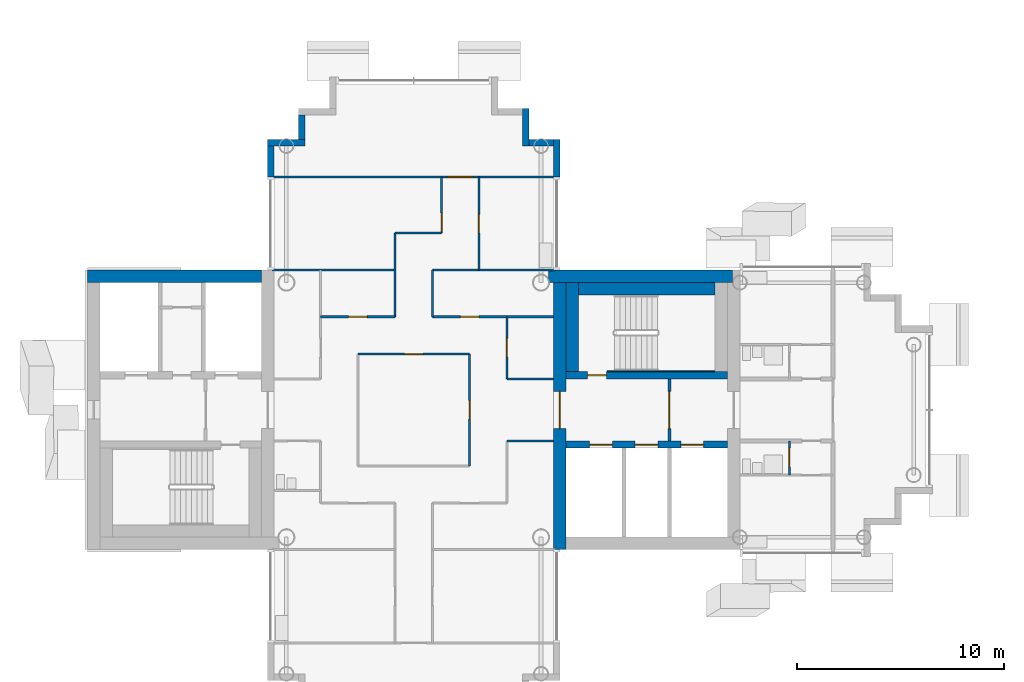
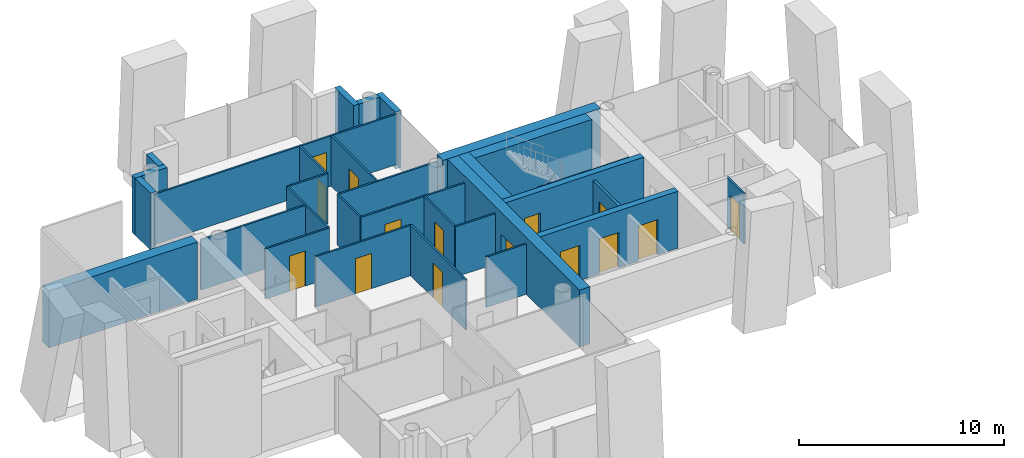
# One storey, part 7 of 18: 31 walls, 15 doors, 15 openings.
"""IFC4 building model written with IfcOpenShell, lengths in metres."""

from ifc_helpers import new_model, si_unit, direction, frame, frame_2d, origin, place, context, subcontext, project, spatial, rectangle, extrude, material, layer, layer_set, type_object, element, fill, save


model = new_model("IFC4")

# Units and contexts
model_context = context("Model", 3, precision=1e-05, world=origin(), true_north=direction((0.0, 1.0)))
body_context = subcontext(model_context, "Body", "Model", "MODEL_VIEW")
ifc_project = project(units=[si_unit("LENGTHUNIT", "METRE"), si_unit("AREAUNIT", "SQUARE_METRE"), si_unit("VOLUMEUNIT", "CUBIC_METRE"), si_unit("PLANEANGLEUNIT", "RADIAN"), si_unit("MASSUNIT", "GRAM", prefix="KILO")], contexts=[model_context])

# Site, building, storey
site_placement = place(None, origin())
site = spatial("IfcSite", under=ifc_project, at=site_placement, CompositionType="ELEMENT")
building_placement = place(site_placement, origin())
building = spatial("IfcBuilding", under=site, at=building_placement, Name="Ipe Terrace Towers", CompositionType="ELEMENT")
storey_placement = place(building_placement, frame((0.0, 0.0, 196.0)))
storey = spatial("IfcBuildingStorey", under=building, at=storey_placement, Name="L54", CompositionType="ELEMENT", Elevation=196.0)

# Walls
ifc_material_1 = material(Name="Concrete C40/50 with buff precast cladding", Category="concrete")
ifc_layer_1 = layer(ifc_material_1, 0.320068359375)
ifc_layer_set_1 = layer_set([ifc_layer_1], Name="BUFF CLADDING WALL 320")
wall_type_1 = type_object("IfcWallType", Name="BUFF CLADDING WALL 320", PredefinedType="STANDARD", material=ifc_layer_set_1)
wall_1_placement = place(storey_placement, frame((-29.090087890625, 11.25, -0.300048828125), z_axis=(0.0, 0.0, 1.0), x_axis=(0.0, 1.0, 0.0)))
element("IfcWall", 1, at=wall_1_placement, inside=storey, type_object=wall_type_1, Name="T1-W-L54-29a wall", PredefinedType="STANDARD", context=body_context, shape_type="SweptSolid", body=[
    extrude(rectangle(XDim=1.820068359375, YDim=0.320068359375, at=frame_2d((0.91015625, 0.0))), origin(), (0.0, 0.0, 1.0), 3.400146484375),
])
wall_2_placement = place(storey_placement, frame((-29.25, 12.909912109375, -0.300048828125), z_axis=(0.0, 0.0, 1.0), x_axis=(-1.0, 0.0, 0.0)))
element("IfcWall", 2, at=wall_2_placement, inside=storey, type_object=wall_type_1, Name="T1-W-L54-30a wall", PredefinedType="STANDARD", context=body_context, shape_type="SweptSolid", body=[
    extrude(rectangle(XDim=1.179931640625, YDim=0.320068359375, at=frame_2d((0.58984375, 0.0))), origin(), (0.0, 0.0, 1.0), 3.400146484375),
])
wall_3_placement = place(storey_placement, frame((-30.590087890625, 12.75, -0.300048828125), z_axis=(0.0, 0.0, 1.0), x_axis=(0.0, 1.0, 0.0)))
element("IfcWall", 3, at=wall_3_placement, inside=storey, type_object=wall_type_1, Name="T1-W-L54-31a wall", PredefinedType="STANDARD", context=body_context, shape_type="SweptSolid", body=[
    extrude(rectangle(XDim=1.820068359375, YDim=0.320068359375, at=frame_2d((0.91015625, 0.0))), origin(), (0.0, 0.0, 1.0), 3.400146484375),
])
wall_4_placement = place(storey_placement, frame((-41.409912109375, 14.25, -0.300048828125), z_axis=(0.0, 0.0, 1.0), x_axis=(0.0, -1.0, 0.0)))
element("IfcWall", 4, at=wall_4_placement, inside=storey, type_object=wall_type_1, Name="T1-W-L54-37a wall", PredefinedType="STANDARD", context=body_context, shape_type="SweptSolid", body=[
    extrude(rectangle(XDim=1.179931640625, YDim=0.320068359375, at=frame_2d((0.58984375, 0.0))), origin(), (0.0, 0.0, 1.0), 3.400146484375),
])
wall_5_placement = place(storey_placement, frame((-41.25, 12.909912109375, -0.300048828125), z_axis=(0.0, 0.0, 1.0), x_axis=(-1.0, 0.0, 0.0)))
element("IfcWall", 5, at=wall_5_placement, inside=storey, type_object=wall_type_1, Name="T1-W-L54-38a wall", PredefinedType="STANDARD", context=body_context, shape_type="SweptSolid", body=[
    extrude(rectangle(XDim=1.820068359375, YDim=0.320068359375, at=frame_2d((0.91015625, 0.0))), origin(), (0.0, 0.0, 1.0), 3.400146484375),
])
wall_6_placement = place(storey_placement, frame((-42.909912109375, 12.75, -0.300048828125), z_axis=(0.0, 0.0, 1.0), x_axis=(0.0, -1.0, 0.0)))
element("IfcWall", 6, at=wall_6_placement, inside=storey, type_object=wall_type_1, Name="T1-W-L54-39a wall", PredefinedType="STANDARD", context=body_context, shape_type="SweptSolid", body=[
    extrude(rectangle(XDim=1.5, YDim=0.320068359375, at=frame_2d((0.75, 0.0))), origin(), (0.0, 0.0, 1.0), 3.400146484375),
])
ifc_material_2 = material(Name="Gypsum board partition", Category="plasterboard")
ifc_layer_2 = layer(ifc_material_2, 0.10009765625)
ifc_layer_set_2 = layer_set([ifc_layer_2], Name="Gypsum board partition 100 mm")
wall_type_2 = type_object("IfcWallType", Name="Gypsum board partition 100 mm", PredefinedType="PARTITIONING", material=ifc_layer_set_2)
wall_7_placement = place(storey_placement, frame((-36.89990234375, 4.5, 0.0), z_axis=(0.0, 0.0, 1.0), x_axis=(0.0, 1.0, 0.0)))
element("IfcWall", 7, at=wall_7_placement, inside=storey, type_object=wall_type_2, Name="Gypsum board partition T1 L54 W05", PredefinedType="PARTITIONING", context=body_context, shape_type="SweptSolid", body=[
    extrude(rectangle(XDim=4.050048828125, YDim=0.10009765625, at=frame_2d((2.02490234375, 0.0))), origin(), (0.0, 0.0, 1.0), 3.0),
])
wall_8_placement = place(storey_placement, frame((-35.10009765625, 4.5, 0.0), z_axis=(0.0, 0.0, 1.0), x_axis=(0.0, 1.0, 0.0)))
element("IfcWall", 8, at=wall_8_placement, inside=storey, type_object=wall_type_2, Name="Gypsum board partition T1 L54 W07", PredefinedType="PARTITIONING", context=body_context, shape_type="SweptSolid", body=[
    extrude(rectangle(XDim=2.25, YDim=0.10009765625, at=frame_2d((1.125, 0.0))), origin(), (0.0, 0.0, 1.0), 3.0),
])

# Wall, opening, door
wall_9_placement = place(storey_placement, frame((-34.64990234375, 8.550048828125, 0.0), z_axis=(0.0, 0.0, 1.0), x_axis=(0.0, 1.0, 0.0)))
wall_9 = element("IfcWall", 9, at=wall_9_placement, inside=storey, type_object=wall_type_2, Name="Gypsum board partition T1 L54 W08", PredefinedType="PARTITIONING", context=body_context, shape_type="SweptSolid", body=[
    extrude(rectangle(XDim=2.699951171875, YDim=0.10009765625, at=frame_2d((1.35009765625, 0.0))), origin(), (0.0, 0.0, 1.0), 3.0),
])
opening_1_placement = place(wall_9_placement, frame((0.070068359375, 0.0, 0.0)))
opening_1 = element("IfcOpeningElement", 10, at=opening_1_placement, cuts=wall_9, Name="Opening T1-Z4D-10", PredefinedType="OPENING", context=body_context, shape_type="SweptSolid", body=[
    extrude(rectangle(XDim=0.89990234375, YDim=2.10009765625, at=frame_2d((0.449951171875, 1.050048828125))), frame((0.0, 0.06005859375, 0.0), z_axis=(0.0, -1.0, 0.0), x_axis=(1.0, 0.0, 0.0)), (0.0, 0.0, 1.0), 0.1201171875),
])
ifc_material_3 = material(Name="Timber door leaf", Category="wood")
door_type_1 = type_object("IfcDoorType", Name="Lounge door 900 x 2100", OperationType="NOTDEFINED", PredefinedType="DOOR", material=ifc_material_3)
door_1_placement = place(opening_1_placement, origin())
door_1 = element("IfcDoor", 11, at=door_1_placement, inside=storey, type_object=door_type_1, Name="Lounge door T1-Z4D-10", OperationType="SINGLE_SWING_RIGHT", OverallHeight=2.10009765625, OverallWidth=0.89990234375, PredefinedType="DOOR", context=body_context, shape_type="SweptSolid", body=[
    extrude(rectangle(XDim=0.89990234375, YDim=2.10009765625, at=frame_2d((0.449951171875, 1.050048828125))), frame((0.0, 0.02490234375, 0.0), z_axis=(0.0, -1.0, 0.0), x_axis=(1.0, 0.0, 0.0)), (0.0, 0.0, 1.0), 0.050048828125),
])
fill(opening_1, door_1)

wall_10_placement = place(storey_placement, frame((-33.300048828125, -2.699951171875, 0.0), z_axis=(0.0, 0.0, 1.0), x_axis=(0.0, 1.0, 0.0)))
wall_10 = element("IfcWall", 12, at=wall_10_placement, inside=storey, type_object=wall_type_2, Name="Gypsum board partition T1 L54 W09", PredefinedType="PARTITIONING", context=body_context, shape_type="SweptSolid", body=[
    extrude(rectangle(XDim=5.39990234375, YDim=0.10009765625, at=frame_2d((2.699951171875, 0.0))), origin(), (0.0, 0.0, 1.0), 3.0),
])
opening_2_placement = place(wall_10_placement, frame((2.25, 0.0, 0.0)))
opening_2 = element("IfcOpeningElement", 13, at=opening_2_placement, cuts=wall_10, Name="Opening T1-Z4D-02", PredefinedType="OPENING", context=body_context, shape_type="SweptSolid", body=[
    extrude(rectangle(XDim=0.89990234375, YDim=2.10009765625, at=frame_2d((0.449951171875, 1.050048828125))), frame((0.0, 0.06005859375, 0.0), z_axis=(0.0, -1.0, 0.0), x_axis=(1.0, 0.0, 0.0)), (0.0, 0.0, 1.0), 0.1201171875),
])
door_2_placement = place(opening_2_placement, origin())
door_2 = element("IfcDoor", 14, at=door_2_placement, inside=storey, type_object=door_type_1, Name="Lounge door T1-Z4D-02", OperationType="SINGLE_SWING_LEFT", OverallHeight=2.10009765625, OverallWidth=0.89990234375, PredefinedType="DOOR", context=body_context, shape_type="SweptSolid", body=[
    extrude(rectangle(XDim=0.89990234375, YDim=2.10009765625, at=frame_2d((0.449951171875, 1.050048828125))), frame((0.0, 0.02490234375, 0.0), z_axis=(0.0, -1.0, 0.0), x_axis=(1.0, 0.0, 0.0)), (0.0, 0.0, 1.0), 0.050048828125),
])
fill(opening_2, door_2)

wall_11_placement = place(storey_placement, frame((-32.85009765625, 6.75, 0.0), z_axis=(0.0, 0.0, 1.0), x_axis=(0.0, 1.0, 0.0)))
wall_11 = element("IfcWall", 15, at=wall_11_placement, inside=storey, type_object=wall_type_2, Name="Gypsum board partition T1 L54 W10", PredefinedType="PARTITIONING", context=body_context, shape_type="SweptSolid", body=[
    extrude(rectangle(XDim=4.5, YDim=0.10009765625, at=frame_2d((2.25, 0.0))), origin(), (0.0, 0.0, 1.0), 3.0),
])
opening_3_placement = place(wall_11_placement, frame((1.800048828125, 0.0, 0.0)))
opening_3 = element("IfcOpeningElement", 16, at=opening_3_placement, cuts=wall_11, Name="Opening T1-Z4D-11", PredefinedType="OPENING", context=body_context, shape_type="SweptSolid", body=[
    extrude(rectangle(XDim=0.89990234375, YDim=2.10009765625, at=frame_2d((0.449951171875, 1.050048828125))), frame((0.0, 0.06005859375, 0.0), z_axis=(0.0, -1.0, 0.0), x_axis=(1.0, 0.0, 0.0)), (0.0, 0.0, 1.0), 0.1201171875),
])
door_3_placement = place(opening_3_placement, origin())
door_3 = element("IfcDoor", 17, at=door_3_placement, inside=storey, type_object=door_type_1, Name="Lounge door T1-Z4D-11", OperationType="SINGLE_SWING_RIGHT", OverallHeight=2.10009765625, OverallWidth=0.89990234375, PredefinedType="DOOR", context=body_context, shape_type="SweptSolid", body=[
    extrude(rectangle(XDim=0.89990234375, YDim=2.10009765625, at=frame_2d((0.449951171875, 1.050048828125))), frame((0.0, 0.02490234375, 0.0), z_axis=(0.0, -1.0, 0.0), x_axis=(1.0, 0.0, 0.0)), (0.0, 0.0, 1.0), 0.050048828125),
])
fill(opening_3, door_3)

wall_12_placement = place(storey_placement, frame((-31.5, 1.5, 0.0), z_axis=(0.0, 0.0, 1.0), x_axis=(0.0, 1.0, 0.0)))
wall_12 = element("IfcWall", 18, at=wall_12_placement, inside=storey, type_object=wall_type_2, Name="Gypsum board partition T1 L54 W12", PredefinedType="PARTITIONING", context=body_context, shape_type="SweptSolid", body=[
    extrude(rectangle(XDim=3.0, YDim=0.10009765625, at=frame_2d((1.5, 0.0))), origin(), (0.0, 0.0, 1.0), 3.0),
])
opening_4_placement = place(wall_12_placement, frame((1.050048828125, 0.0, 0.0)))
opening_4 = element("IfcOpeningElement", 19, at=opening_4_placement, cuts=wall_12, Name="Opening T1-Z4D-05", PredefinedType="OPENING", context=body_context, shape_type="SweptSolid", body=[
    extrude(rectangle(XDim=0.89990234375, YDim=2.10009765625, at=frame_2d((0.449951171875, 1.050048828125))), frame((0.0, 0.06005859375, 0.0), z_axis=(0.0, -1.0, 0.0), x_axis=(1.0, 0.0, 0.0)), (0.0, 0.0, 1.0), 0.1201171875),
])
door_4_placement = place(opening_4_placement, origin())
door_4 = element("IfcDoor", 20, at=door_4_placement, inside=storey, type_object=door_type_1, Name="Lounge door T1-Z4D-05", OperationType="SINGLE_SWING_RIGHT", OverallHeight=2.10009765625, OverallWidth=0.89990234375, PredefinedType="DOOR", context=body_context, shape_type="SweptSolid", body=[
    extrude(rectangle(XDim=0.89990234375, YDim=2.10009765625, at=frame_2d((0.449951171875, 1.050048828125))), frame((0.0, 0.02490234375, 0.0), z_axis=(0.0, -1.0, 0.0), x_axis=(1.0, 0.0, 0.0)), (0.0, 0.0, 1.0), 0.050048828125),
])
fill(opening_4, door_4)

wall_13_placement = place(storey_placement, frame((-17.85009765625, -3.14990234375, 0.0), z_axis=(0.0, 0.0, 1.0), x_axis=(0.0, 1.0, 0.0)))
wall_13 = element("IfcWall", 21, at=wall_13_placement, inside=storey, type_object=wall_type_2, Name="Gypsum board partition T1 L54 W13", PredefinedType="PARTITIONING", context=body_context, shape_type="SweptSolid", body=[
    extrude(rectangle(XDim=1.64990234375, YDim=0.10009765625, at=frame_2d((0.824951171875, 0.0))), origin(), (0.0, 0.0, 1.0), 3.0),
])
opening_5_placement = place(wall_13_placement, frame((0.39990234375, 0.0, 0.0)))
opening_5 = element("IfcOpeningElement", 22, at=opening_5_placement, cuts=wall_13, Name="Opening T1-Z4D-21", PredefinedType="OPENING", context=body_context, shape_type="SweptSolid", body=[
    extrude(rectangle(XDim=0.89990234375, YDim=2.10009765625, at=frame_2d((0.449951171875, 1.050048828125))), frame((0.0, 0.06005859375, 0.0), z_axis=(0.0, -1.0, 0.0), x_axis=(1.0, 0.0, 0.0)), (0.0, 0.0, 1.0), 0.1201171875),
])
ifc_material_4 = material(Name="Timber door leaf", Category="wood")
door_type_2 = type_object("IfcDoorType", Name="Bathroom door 900 x 2100", OperationType="NOTDEFINED", PredefinedType="DOOR", material=ifc_material_4)
door_5_placement = place(opening_5_placement, origin())
door_5 = element("IfcDoor", 23, at=door_5_placement, inside=storey, type_object=door_type_2, Name="Bathroom door T1-Z4D-21", OperationType="SINGLE_SWING_LEFT", OverallHeight=2.10009765625, OverallWidth=0.89990234375, PredefinedType="DOOR", context=body_context, shape_type="SweptSolid", body=[
    extrude(rectangle(XDim=0.89990234375, YDim=2.10009765625, at=frame_2d((0.449951171875, 1.050048828125))), frame((0.0, 0.02490234375, 0.0), z_axis=(0.0, -1.0, 0.0), x_axis=(1.0, 0.0, 0.0)), (0.0, 0.0, 1.0), 0.050048828125),
])
fill(opening_5, door_5)

# Walls
for number, where, z_axis, x_axis, name in (
    (24, (-31.5, -1.5, 0.0), (0.0, 0.0, 1.0), (1.0, 0.0, 0.0), "Gypsum board partition T1 L54 W27"),
    (25, (-31.5, 1.5, 0.0), (0.0, 0.0, 1.0), (1.0, 0.0, 0.0), "Gypsum board partition T1 L54 W30"),
):
    element("IfcWall", number, at=place(storey_placement, frame(where, z_axis=z_axis, x_axis=x_axis)), inside=storey, type_object=wall_type_2, Name=name, PredefinedType="PARTITIONING", context=body_context, shape_type="SweptSolid", body=[
        extrude(rectangle(XDim=2.25, YDim=0.10009765625, at=frame_2d((1.125, 0.0))), origin(), (0.0, 0.0, 1.0), 3.0),
    ])

# Wall, opening, door
wall_14_placement = place(storey_placement, frame((-38.699951171875, 2.699951171875, 0.0), z_axis=(0.0, 0.0, 1.0), x_axis=(1.0, 0.0, 0.0)))
wall_14 = element("IfcWall", 26, at=wall_14_placement, inside=storey, type_object=wall_type_2, Name="Gypsum board partition T1 L54 W32", PredefinedType="PARTITIONING", context=body_context, shape_type="SweptSolid", body=[
    extrude(rectangle(XDim=5.39990234375, YDim=0.10009765625, at=frame_2d((2.699951171875, 0.0))), origin(), (0.0, 0.0, 1.0), 3.0),
])
opening_6_placement = place(wall_14_placement, frame((2.25, 0.0, 0.0)))
opening_6 = element("IfcOpeningElement", 27, at=opening_6_placement, cuts=wall_14, Name="Opening T1-Z4D-01", PredefinedType="OPENING", context=body_context, shape_type="SweptSolid", body=[
    extrude(rectangle(XDim=0.89990234375, YDim=2.10009765625, at=frame_2d((0.449951171875, 1.050048828125))), frame((0.0, 0.06005859375, 0.0), z_axis=(0.0, -1.0, 0.0), x_axis=(1.0, 0.0, 0.0)), (0.0, 0.0, 1.0), 0.1201171875),
])
door_6_placement = place(opening_6_placement, origin())
door_6 = element("IfcDoor", 28, at=door_6_placement, inside=storey, type_object=door_type_1, Name="Lounge door T1-Z4D-01", OperationType="SINGLE_SWING_RIGHT", OverallHeight=2.10009765625, OverallWidth=0.89990234375, PredefinedType="DOOR", context=body_context, shape_type="SweptSolid", body=[
    extrude(rectangle(XDim=0.89990234375, YDim=2.10009765625, at=frame_2d((0.449951171875, 1.050048828125))), frame((0.0, 0.02490234375, 0.0), z_axis=(0.0, -1.0, 0.0), x_axis=(1.0, 0.0, 0.0)), (0.0, 0.0, 1.0), 0.050048828125),
])
fill(opening_6, door_6)

wall_15_placement = place(storey_placement, frame((-40.5, 4.5, 0.0), z_axis=(0.0, 0.0, 1.0), x_axis=(1.0, 0.0, 0.0)))
wall_15 = element("IfcWall", 29, at=wall_15_placement, inside=storey, type_object=wall_type_2, Name="Gypsum board partition T1 L54 W34", PredefinedType="PARTITIONING", context=body_context, shape_type="SweptSolid", body=[
    extrude(rectangle(XDim=3.60009765625, YDim=0.10009765625, at=frame_2d((1.800048828125, 0.0))), origin(), (0.0, 0.0, 1.0), 3.0),
])
opening_7_placement = place(wall_15_placement, frame((1.35009765625, 0.0, 0.0)))
opening_7 = element("IfcOpeningElement", 30, at=opening_7_placement, cuts=wall_15, Name="Opening T1-Z4D-06", PredefinedType="OPENING", context=body_context, shape_type="SweptSolid", body=[
    extrude(rectangle(XDim=0.89990234375, YDim=2.10009765625, at=frame_2d((0.449951171875, 1.050048828125))), frame((0.0, 0.06005859375, 0.0), z_axis=(0.0, -1.0, 0.0), x_axis=(1.0, 0.0, 0.0)), (0.0, 0.0, 1.0), 0.1201171875),
])
door_7_placement = place(opening_7_placement, origin())
door_7 = element("IfcDoor", 31, at=door_7_placement, inside=storey, type_object=door_type_1, Name="Lounge door T1-Z4D-06", OperationType="SINGLE_SWING_RIGHT", OverallHeight=2.10009765625, OverallWidth=0.89990234375, PredefinedType="DOOR", context=body_context, shape_type="SweptSolid", body=[
    extrude(rectangle(XDim=0.89990234375, YDim=2.10009765625, at=frame_2d((0.449951171875, 1.050048828125))), frame((0.0, 0.02490234375, 0.0), z_axis=(0.0, -1.0, 0.0), x_axis=(1.0, 0.0, 0.0)), (0.0, 0.0, 1.0), 0.050048828125),
])
fill(opening_7, door_7)

wall_16_placement = place(storey_placement, frame((-35.10009765625, 4.5, 0.0), z_axis=(0.0, 0.0, 1.0), x_axis=(1.0, 0.0, 0.0)))
wall_16 = element("IfcWall", 32, at=wall_16_placement, inside=storey, type_object=wall_type_2, Name="Gypsum board partition T1 L54 W35", PredefinedType="PARTITIONING", context=body_context, shape_type="SweptSolid", body=[
    extrude(rectangle(XDim=5.85009765625, YDim=0.10009765625, at=frame_2d((2.925048828125, 0.0))), origin(), (0.0, 0.0, 1.0), 3.0),
])
opening_8_placement = place(wall_16_placement, frame((1.35009765625, 0.0, 0.0)))
opening_8 = element("IfcOpeningElement", 33, at=opening_8_placement, cuts=wall_16, Name="Opening T1-Z4D-04", PredefinedType="OPENING", context=body_context, shape_type="SweptSolid", body=[
    extrude(rectangle(XDim=0.89990234375, YDim=2.10009765625, at=frame_2d((0.449951171875, 1.050048828125))), frame((0.0, 0.06005859375, 0.0), z_axis=(0.0, -1.0, 0.0), x_axis=(1.0, 0.0, 0.0)), (0.0, 0.0, 1.0), 0.1201171875),
])
door_8_placement = place(opening_8_placement, origin())
door_8 = element("IfcDoor", 34, at=door_8_placement, inside=storey, type_object=door_type_1, Name="Lounge door T1-Z4D-04", OperationType="SINGLE_SWING_RIGHT", OverallHeight=2.10009765625, OverallWidth=0.89990234375, PredefinedType="DOOR", context=body_context, shape_type="SweptSolid", body=[
    extrude(rectangle(XDim=0.89990234375, YDim=2.10009765625, at=frame_2d((0.449951171875, 1.050048828125))), frame((0.0, 0.02490234375, 0.0), z_axis=(0.0, -1.0, 0.0), x_axis=(1.0, 0.0, 0.0)), (0.0, 0.0, 1.0), 0.050048828125),
])
fill(opening_8, door_8)

# Walls
for number, where, z_axis, x_axis, name in (
    (35, (-42.85009765625, 6.75, 0.0), (0.0, 0.0, 1.0), (1.0, 0.0, 0.0), "Gypsum board partition T1 L54 W36"),
    (36, (-35.10009765625, 6.75, 0.0), (0.0, 0.0, 1.0), (1.0, 0.0, 0.0), "Gypsum board partition T1 L54 W37"),
):
    element("IfcWall", number, at=place(storey_placement, frame(where, z_axis=z_axis, x_axis=x_axis)), inside=storey, type_object=wall_type_2, Name=name, PredefinedType="PARTITIONING", context=body_context, shape_type="SweptSolid", body=[
        extrude(rectangle(XDim=5.9501953125, YDim=0.10009765625, at=frame_2d((2.97509765625, 0.0))), origin(), (0.0, 0.0, 1.0), 3.0),
    ])
wall_17_placement = place(storey_placement, frame((-36.89990234375, 8.550048828125, 0.0), z_axis=(0.0, 0.0, 1.0), x_axis=(1.0, 0.0, 0.0)))
element("IfcWall", 37, at=wall_17_placement, inside=storey, type_object=wall_type_2, Name="Gypsum board partition T1 L54 W38", PredefinedType="PARTITIONING", context=body_context, shape_type="SweptSolid", body=[
    extrude(rectangle(XDim=2.25, YDim=0.10009765625, at=frame_2d((1.125, 0.0))), origin(), (0.0, 0.0, 1.0), 3.0),
])

# Wall, opening, door
wall_18_placement = place(storey_placement, frame((-42.85009765625, 11.25, 0.0), z_axis=(0.0, 0.0, 1.0), x_axis=(1.0, 0.0, 0.0)))
wall_18 = element("IfcWall", 38, at=wall_18_placement, inside=storey, type_object=wall_type_2, Name="Gypsum board partition T1 L54 W39", PredefinedType="PARTITIONING", context=body_context, shape_type="SweptSolid", body=[
    extrude(rectangle(XDim=13.7001953125, YDim=0.10009765625, at=frame_2d((6.85009765625, 0.0))), origin(), (0.0, 0.0, 1.0), 3.0),
])
opening_9_placement = place(wall_18_placement, frame((8.5, 0.0, 0.0)))
opening_9 = element("IfcOpeningElement", 39, at=opening_9_placement, cuts=wall_18, Name="Opening T1-Z4D-12", PredefinedType="OPENING", context=body_context, shape_type="SweptSolid", body=[
    extrude(rectangle(XDim=1.199951171875, YDim=2.10009765625, at=frame_2d((0.60009765625, 1.050048828125))), frame((0.0, 0.06005859375, 0.0), z_axis=(0.0, -1.0, 0.0), x_axis=(1.0, 0.0, 0.0)), (0.0, 0.0, 1.0), 0.1201171875),
])
ifc_material_5 = material(Name="Timber door leaf", Category="wood")
door_type_3 = type_object("IfcDoorType", Name="Lounge door 1200 x 2100", OperationType="NOTDEFINED", PredefinedType="DOOR", material=ifc_material_5)
door_9_placement = place(opening_9_placement, origin())
door_9 = element("IfcDoor", 40, at=door_9_placement, inside=storey, type_object=door_type_3, Name="Lounge door T1-Z4D-12", OperationType="SINGLE_SWING_LEFT", OverallHeight=2.10009765625, OverallWidth=1.199951171875, PredefinedType="DOOR", context=body_context, shape_type="SweptSolid", body=[
    extrude(rectangle(XDim=1.199951171875, YDim=2.10009765625, at=frame_2d((0.60009765625, 1.050048828125))), frame((0.0, 0.02490234375, 0.0), z_axis=(0.0, -1.0, 0.0), x_axis=(1.0, 0.0, 0.0)), (0.0, 0.0, 1.0), 0.050048828125),
])
fill(opening_9, door_9)

ifc_material_6 = material(Name="Gypsum board partition", Category="plasterboard")
ifc_layer_3 = layer(ifc_material_6, 0.14990234375)
ifc_layer_set_3 = layer_set([ifc_layer_3], Name="Gypsum board partition 150 mm")
wall_type_3 = type_object("IfcWallType", Name="Gypsum board partition 150 mm", PredefinedType="PARTITIONING", material=ifc_layer_set_3)
wall_19_placement = place(storey_placement, frame((-23.64990234375, -1.5, 0.0), z_axis=(0.0, 0.0, 1.0), x_axis=(0.0, 1.0, 0.0)))
wall_19 = element("IfcWall", 41, at=wall_19_placement, inside=storey, type_object=wall_type_3, Name="Gypsum board partition T1 L54 t1c1-lobby-wall", PredefinedType="PARTITIONING", context=body_context, shape_type="SweptSolid", body=[
    extrude(rectangle(XDim=3.0, YDim=0.14990234375, at=frame_2d((1.5, 0.0))), origin(), (0.0, 0.0, 1.0), 3.0),
])
opening_10_placement = place(wall_19_placement, frame((0.60009765625, 0.0, 0.0)))
opening_10 = element("IfcOpeningElement", 42, at=opening_10_placement, cuts=wall_19, Name="Opening T1C1-VD", PredefinedType="OPENING", context=body_context, shape_type="SweptSolid", body=[
    extrude(rectangle(XDim=1.800048828125, YDim=2.10009765625, at=frame_2d((0.89990234375, 1.050048828125))), frame((0.0, 0.0849609375, 0.0), z_axis=(0.0, -1.0, 0.0), x_axis=(1.0, 0.0, 0.0)), (0.0, 0.0, 1.0), 0.169921875),
])
ifc_material_7 = material(Name="Fire-rated timber door leaf", Category="wood")
door_type_4 = type_object("IfcDoorType", Name="Lobby door 1800 x 2100 FD60", OperationType="NOTDEFINED", PredefinedType="DOOR", material=ifc_material_7)
door_10_placement = place(opening_10_placement, origin())
door_10 = element("IfcDoor", 43, at=door_10_placement, inside=storey, type_object=door_type_4, Name="Lobby door T1C1-VD", OperationType="SINGLE_SWING_LEFT", OverallHeight=2.10009765625, OverallWidth=1.800048828125, PredefinedType="DOOR", context=body_context, shape_type="SweptSolid", body=[
    extrude(rectangle(XDim=1.800048828125, YDim=2.10009765625, at=frame_2d((0.89990234375, 1.050048828125))), frame((0.0, 0.02490234375, 0.0), z_axis=(0.0, -1.0, 0.0), x_axis=(1.0, 0.0, 0.0)), (0.0, 0.0, 1.0), 0.050048828125),
])
fill(opening_10, door_10)

# Wall, openings, doors
ifc_material_8 = material(Name="Concrete C40/50", Category="concrete")
ifc_layer_4 = layer(ifc_material_8, 0.35009765625)
ifc_layer_set_4 = layer_set([ifc_layer_4], Name="RW350 CORE SPINE WALL 350 C40-50")
wall_type_4 = type_object("IfcWallType", Name="RW350 CORE SPINE WALL 350 C40-50", PredefinedType="SHEAR", material=ifc_layer_set_4)
wall_20_placement = place(storey_placement, frame((-28.64990234375, -1.675048828125, 0.0), z_axis=(0.0, 0.0, 1.0), x_axis=(1.0, 0.0, 0.0)))
wall_20 = element("IfcWall", 44, at=wall_20_placement, inside=storey, type_object=wall_type_4, Name="Core spine wall T1-C1-Z4-SW1", PredefinedType="SHEAR", context=body_context, shape_type="SweptSolid", body=[
    extrude(rectangle(XDim=7.7998046875, YDim=0.35009765625, at=frame_2d((3.89990234375, 0.0))), origin(), (0.0, 0.0, 1.0), 3.39990234375),
])
opening_11_placement = place(wall_20_placement, frame((1.14990234375, 0.0, 0.0)))
opening_11 = element("IfcOpeningElement", 45, at=opening_11_placement, cuts=wall_20, Name="Opening T1C1-LD1", PredefinedType="OPENING", context=body_context, shape_type="SweptSolid", body=[
    extrude(rectangle(XDim=1.10009765625, YDim=2.10009765625, at=frame_2d((0.550048828125, 1.050048828125))), frame((0.0, 0.18505859375, 0.0), z_axis=(0.0, -1.0, 0.0), x_axis=(1.0, 0.0, 0.0)), (0.0, 0.0, 1.0), 0.3701171875),
])
opening_12_placement = place(wall_20_placement, frame((3.35009765625, 0.0, 0.0)))
opening_12 = element("IfcOpeningElement", 46, at=opening_12_placement, cuts=wall_20, Name="Opening T1C1-LD2", PredefinedType="OPENING", context=body_context, shape_type="SweptSolid", body=[
    extrude(rectangle(XDim=1.10009765625, YDim=2.10009765625, at=frame_2d((0.550048828125, 1.050048828125))), frame((0.0, 0.18505859375, 0.0), z_axis=(0.0, -1.0, 0.0), x_axis=(1.0, 0.0, 0.0)), (0.0, 0.0, 1.0), 0.3701171875),
])
opening_13_placement = place(wall_20_placement, frame((5.550048828125, 0.0, 0.0)))
opening_13 = element("IfcOpeningElement", 47, at=opening_13_placement, cuts=wall_20, Name="Opening T1C1-LD3", PredefinedType="OPENING", context=body_context, shape_type="SweptSolid", body=[
    extrude(rectangle(XDim=1.10009765625, YDim=2.10009765625, at=frame_2d((0.550048828125, 1.050048828125))), frame((0.0, 0.18505859375, 0.0), z_axis=(0.0, -1.0, 0.0), x_axis=(1.0, 0.0, 0.0)), (0.0, 0.0, 1.0), 0.3701171875),
])
ifc_material_9 = material(Name="Fire-rated timber door leaf", Category="wood")
door_type_5 = type_object("IfcDoorType", Name="Sliding door 1100 x 2100 FD60", OperationType="SLIDING_TO_LEFT", PredefinedType="DOOR", material=ifc_material_9)
door_11_placement = place(opening_11_placement, origin())
door_11 = element("IfcDoor", 48, at=door_11_placement, inside=storey, type_object=door_type_5, Name="Sliding door T1C1-LD1", OperationType="SLIDING_TO_LEFT", OverallHeight=2.10009765625, OverallWidth=1.10009765625, PredefinedType="DOOR", context=body_context, shape_type="SweptSolid", body=[
    extrude(rectangle(XDim=1.10009765625, YDim=2.10009765625, at=frame_2d((0.550048828125, 1.050048828125))), frame((0.0, 0.02490234375, 0.0), z_axis=(0.0, -1.0, 0.0), x_axis=(1.0, 0.0, 0.0)), (0.0, 0.0, 1.0), 0.050048828125),
])
fill(opening_11, door_11)
door_12_placement = place(opening_12_placement, origin())
door_12 = element("IfcDoor", 49, at=door_12_placement, inside=storey, type_object=door_type_5, Name="Sliding door T1C1-LD2", OperationType="SLIDING_TO_LEFT", OverallHeight=2.10009765625, OverallWidth=1.10009765625, PredefinedType="DOOR", context=body_context, shape_type="SweptSolid", body=[
    extrude(rectangle(XDim=1.10009765625, YDim=2.10009765625, at=frame_2d((0.550048828125, 1.050048828125))), frame((0.0, 0.02490234375, 0.0), z_axis=(0.0, -1.0, 0.0), x_axis=(1.0, 0.0, 0.0)), (0.0, 0.0, 1.0), 0.050048828125),
])
fill(opening_12, door_12)
door_13_placement = place(opening_13_placement, origin())
door_13 = element("IfcDoor", 50, at=door_13_placement, inside=storey, type_object=door_type_5, Name="Sliding door T1C1-LD3", OperationType="SLIDING_TO_LEFT", OverallHeight=2.10009765625, OverallWidth=1.10009765625, PredefinedType="DOOR", context=body_context, shape_type="SweptSolid", body=[
    extrude(rectangle(XDim=1.10009765625, YDim=2.10009765625, at=frame_2d((0.550048828125, 1.050048828125))), frame((0.0, 0.02490234375, 0.0), z_axis=(0.0, -1.0, 0.0), x_axis=(1.0, 0.0, 0.0)), (0.0, 0.0, 1.0), 0.050048828125),
])
fill(opening_13, door_13)

# Wall, opening, door
wall_21_placement = place(storey_placement, frame((-28.64990234375, 1.675048828125, 0.0), z_axis=(0.0, 0.0, 1.0), x_axis=(1.0, 0.0, 0.0)))
wall_21 = element("IfcWall", 51, at=wall_21_placement, inside=storey, type_object=wall_type_4, Name="Core spine wall T1-C1-Z4-SW2", PredefinedType="SHEAR", context=body_context, shape_type="SweptSolid", body=[
    extrude(rectangle(XDim=7.7998046875, YDim=0.35009765625, at=frame_2d((3.89990234375, 0.0))), origin(), (0.0, 0.0, 1.0), 3.39990234375),
])
opening_14_placement = place(wall_21_placement, frame((1.050048828125, 0.0, 0.0)))
opening_14 = element("IfcOpeningElement", 52, at=opening_14_placement, cuts=wall_21, Name="Opening T1C1-SD", PredefinedType="OPENING", context=body_context, shape_type="SweptSolid", body=[
    extrude(rectangle(XDim=0.89990234375, YDim=2.10009765625, at=frame_2d((0.449951171875, 1.050048828125))), frame((0.0, 0.18505859375, 0.0), z_axis=(0.0, -1.0, 0.0), x_axis=(1.0, 0.0, 0.0)), (0.0, 0.0, 1.0), 0.3701171875),
])
ifc_material_10 = material(Name="Fire-rated timber door leaf", Category="wood")
door_type_6 = type_object("IfcDoorType", Name="Stair door 900 x 2100 FD60", OperationType="NOTDEFINED", PredefinedType="DOOR", material=ifc_material_10)
door_14_placement = place(opening_14_placement, origin())
door_14 = element("IfcDoor", 53, at=door_14_placement, inside=storey, type_object=door_type_6, Name="Stair door T1C1-SD", OperationType="SINGLE_SWING_LEFT", OverallHeight=2.10009765625, OverallWidth=0.89990234375, PredefinedType="DOOR", context=body_context, shape_type="SweptSolid", body=[
    extrude(rectangle(XDim=0.89990234375, YDim=2.10009765625, at=frame_2d((0.449951171875, 1.050048828125))), frame((0.0, 0.02490234375, 0.0), z_axis=(0.0, -1.0, 0.0), x_axis=(1.0, 0.0, 0.0)), (0.0, 0.0, 1.0), 0.050048828125),
])
fill(opening_14, door_14)

# Walls
ifc_material_11 = material(Name="Concrete C40/50", Category="concrete")
ifc_layer_5 = layer(ifc_material_11, 0.050048828125)
ifc_layer_set_5 = layer_set([ifc_layer_5], Name="RW50 CORE INFILL WALL 50 C40-50")
wall_type_5 = type_object("IfcWallType", Name="RW50 CORE INFILL WALL 50 C40-50", PredefinedType="SHEAR", material=ifc_layer_set_5)
wall_22_placement = place(storey_placement, frame((-26.64990234375, 1.875, 0.0), z_axis=(0.0, 0.0, 1.0), x_axis=(1.0, 0.0, 0.0)))
element("IfcWall", 54, at=wall_22_placement, inside=storey, type_object=wall_type_5, Name="Core infill wall T1-C1-spine-b", PredefinedType="SHEAR", context=body_context, shape_type="SweptSolid", body=[
    extrude(rectangle(XDim=5.199951171875, YDim=0.050048828125, at=frame_2d((2.60009765625, 0.0))), origin(), (0.0, 0.0, 1.0), 3.39990234375),
])
ifc_material_12 = material(Name="Concrete C40/50", Category="concrete")
ifc_layer_6 = layer(ifc_material_12, 0.60009765625)
ifc_layer_set_6 = layer_set([ifc_layer_6], Name="RW600 CORE INFILL WALL 600 C40-50")
wall_type_6 = type_object("IfcWallType", Name="RW600 CORE INFILL WALL 600 C40-50", PredefinedType="SHEAR", material=ifc_layer_set_6)
wall_23_placement = place(storey_placement, frame((-28.050048828125, 5.85009765625, 0.0), z_axis=(0.0, 0.0, 1.0), x_axis=(1.0, 0.0, 0.0)))
element("IfcWall", 55, at=wall_23_placement, inside=storey, type_object=wall_type_6, Name="Core infill wall T1-C1-back", PredefinedType="SHEAR", context=body_context, shape_type="SweptSolid", body=[
    extrude(rectangle(XDim=6.60009765625, YDim=0.60009765625, at=frame_2d((3.300048828125, 0.0))), origin(), (0.0, 0.0, 1.0), 3.39990234375),
])
wall_24_placement = place(storey_placement, frame((-28.35009765625, 1.85009765625, 0.0), z_axis=(0.0, 0.0, 1.0), x_axis=(0.0, 1.0, 0.0)))
element("IfcWall", 56, at=wall_24_placement, inside=storey, type_object=wall_type_6, Name="Core infill wall T1-C1-near", PredefinedType="SHEAR", context=body_context, shape_type="SweptSolid", body=[
    extrude(rectangle(XDim=4.2998046875, YDim=0.60009765625, at=frame_2d((2.14990234375, 0.0))), origin(), (0.0, 0.0, 1.0), 3.39990234375),
])
ifc_material_13 = material(Name="Concrete C40/50", Category="concrete")
ifc_layer_7 = layer(ifc_material_13, 0.60009765625)
ifc_layer_set_7 = layer_set([ifc_layer_7], Name="RW600 CORE WALL 600 C40-50")
wall_type_7 = type_object("IfcWallType", Name="RW600 CORE WALL 600 C40-50", PredefinedType="SHEAR", material=ifc_layer_set_7)
wall_25_placement = place(storey_placement, frame((-20.60205078125, 6.449951171875, 0.0), z_axis=(0.0, 0.0, 1.0), x_axis=(-1.0, 0.0, 0.0)))
element("IfcWall", 57, at=wall_25_placement, inside=storey, type_object=wall_type_7, Name="Core wall T1-C1-Z4-W03", PredefinedType="SHEAR", context=body_context, shape_type="SweptSolid", body=[
    extrude(rectangle(XDim=8.89599609375, YDim=0.60009765625, at=frame_2d((4.447998046875, 0.0))), origin(), (0.0, 0.0, 1.0), 3.39990234375),
])

# Wall, opening, door
wall_26_placement = place(storey_placement, frame((-28.949951171875, 6.14990234375, 0.0), z_axis=(0.0, 0.0, 1.0), x_axis=(0.0, -1.0, 0.0)))
wall_26 = element("IfcWall", 58, at=wall_26_placement, inside=storey, type_object=wall_type_7, Name="Core wall T1-C1-Z4-W04", PredefinedType="SHEAR", context=body_context, shape_type="SweptSolid", body=[
    extrude(rectangle(XDim=12.89990234375, YDim=0.60009765625, at=frame_2d((6.449951171875, 0.0))), origin(), (0.0, 0.0, 1.0), 3.39990234375),
])
opening_15_placement = place(wall_26_placement, frame((5.25, 0.0, 0.0)))
opening_15 = element("IfcOpeningElement", 59, at=opening_15_placement, cuts=wall_26, Name="Opening T1C1-ND", PredefinedType="OPENING", context=body_context, shape_type="SweptSolid", body=[
    extrude(rectangle(XDim=1.800048828125, YDim=2.10009765625, at=frame_2d((0.89990234375, 1.050048828125))), frame((0.0, 0.31005859375, 0.0), z_axis=(0.0, -1.0, 0.0), x_axis=(1.0, 0.0, 0.0)), (0.0, 0.0, 1.0), 0.6201171875),
])
ifc_material_14 = material(Name="Fire-rated timber door leaf", Category="wood")
door_type_7 = type_object("IfcDoorType", Name="Fire door 1800 x 2100 FD30S", OperationType="NOTDEFINED", PredefinedType="DOOR", material=ifc_material_14)
door_15_placement = place(opening_15_placement, origin())
door_15 = element("IfcDoor", 60, at=door_15_placement, inside=storey, type_object=door_type_7, Name="Fire door T1C1-ND", OperationType="SINGLE_SWING_LEFT", OverallHeight=2.10009765625, OverallWidth=1.800048828125, PredefinedType="DOOR", context=body_context, shape_type="SweptSolid", body=[
    extrude(rectangle(XDim=1.800048828125, YDim=2.10009765625, at=frame_2d((0.89990234375, 1.050048828125))), frame((0.0, 0.02490234375, 0.0), z_axis=(0.0, -1.0, 0.0), x_axis=(1.0, 0.0, 0.0)), (0.0, 0.0, 1.0), 0.050048828125),
])
fill(opening_15, door_15)

# Wall
wall_27_placement = place(storey_placement, frame((-43.35009765625, 6.449951171875, 0.0), z_axis=(0.0, 0.0, 1.0), x_axis=(-1.0, 0.0, 0.0)))
element("IfcWall", 61, at=wall_27_placement, inside=storey, type_object=wall_type_7, Name="Core wall T1-C2-Z4-W03", PredefinedType="SHEAR", context=body_context, shape_type="SweptSolid", body=[
    extrude(rectangle(XDim=8.39990234375, YDim=0.60009765625, at=frame_2d((4.199951171875, 0.0))), origin(), (0.0, 0.0, 1.0), 3.39990234375),
])

save(model, "model.ifc")
